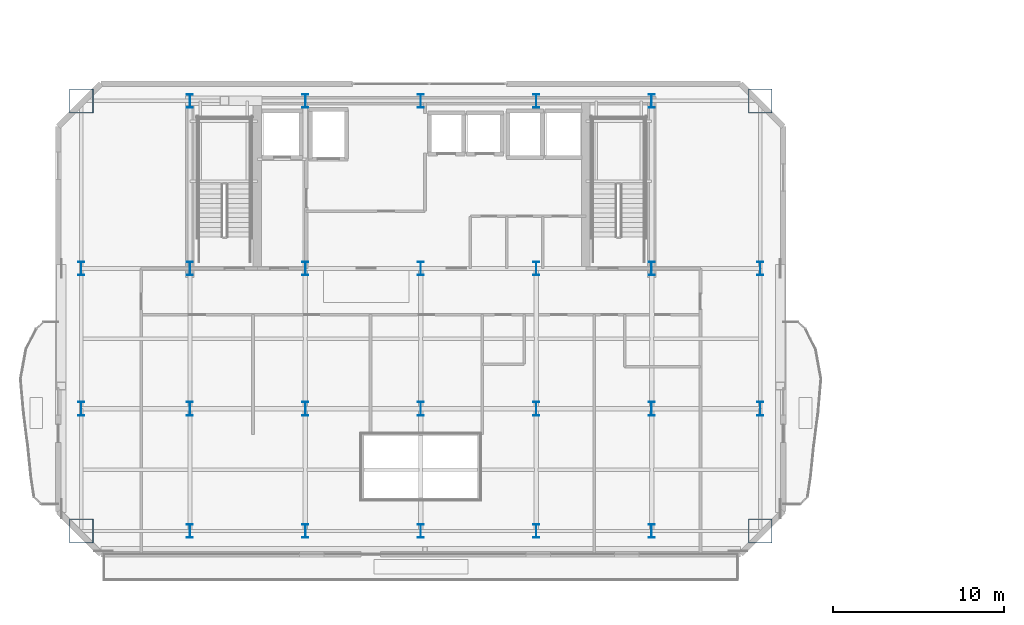
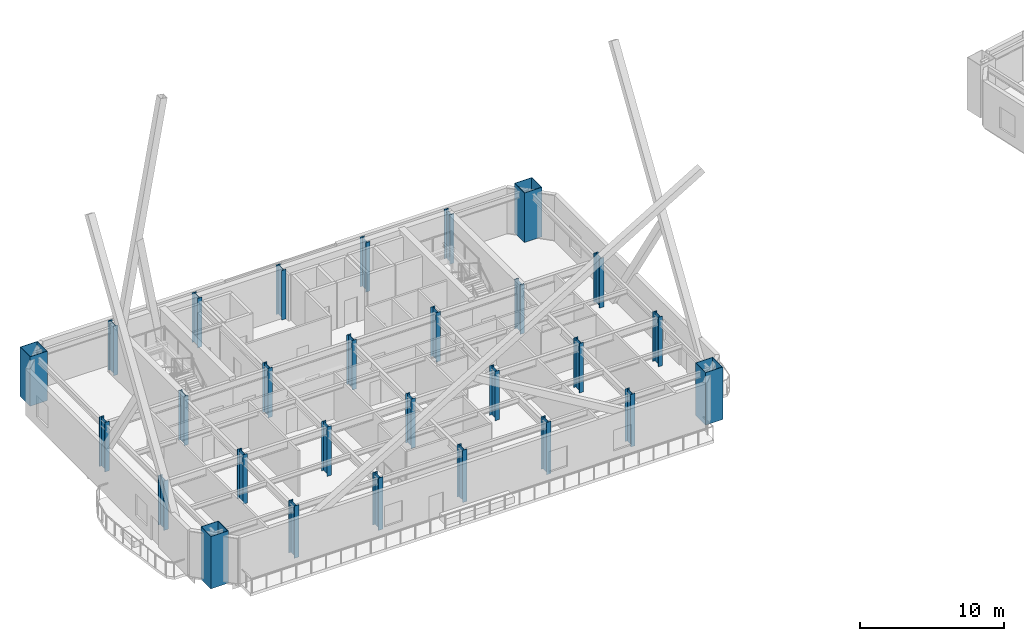
# One storey, part 1 of 22: 28 columns.
"""IFC4 building model written with IfcOpenShell, lengths in metres."""

from ifc_helpers import new_model, si_unit, direction, frame, origin, origin_2d, place, context, subcontext, project, spatial, hollow_rectangle, i_section, extrude, material, material_profile, profile_set, type_object, element, save


model = new_model("IFC4")

# Units and contexts
model_context = context("Model", 3, precision=1e-05, world=origin(), true_north=direction((0.0, 1.0)))
body_context = subcontext(model_context, "Body", "Model", "MODEL_VIEW")
ifc_project = project(units=[si_unit("LENGTHUNIT", "METRE"), si_unit("AREAUNIT", "SQUARE_METRE"), si_unit("VOLUMEUNIT", "CUBIC_METRE"), si_unit("PLANEANGLEUNIT", "RADIAN"), si_unit("MASSUNIT", "GRAM", prefix="KILO")], contexts=[model_context])

# Site, building, storey
site_placement = place(None, origin())
site = spatial("IfcSite", under=ifc_project, at=site_placement, CompositionType="ELEMENT")
building_placement = place(site_placement, origin())
building = spatial("IfcBuilding", under=site, at=building_placement, Name="Haevon Station Towers", CompositionType="ELEMENT")
storey_placement = place(building_placement, frame((0.0, 0.0, 133.800048828125)))
storey = spatial("IfcBuildingStorey", under=building, at=storey_placement, Name="L36", CompositionType="ELEMENT", Elevation=133.800048828125)

# Columns
ifc_material = material(Name="Steel S460", Category="steel")
ifc_material_profile_1 = material_profile(ifc_material, hollow_rectangle(XDim=1.39990234375, YDim=1.39990234375, WallThickness=0.035888671875, at=origin_2d()), Name="BOX-1400x1400x36")
ifc_profile_set_1 = profile_set([ifc_material_profile_1], Name="Steel S460")
column_type_1 = type_object("IfcColumnType", Name="COL-MC3", PredefinedType="COLUMN", material=ifc_profile_set_1)
column_1_placement = place(storey_placement, frame((17.64990234375, 22.85009765625, -0.25), z_axis=(0.0, 0.0, 1.0), x_axis=(1.0, 0.0, 0.0)))
element("IfcColumn", 1, at=column_1_placement, inside=storey, type_object=column_type_1, Name="COL-T1-L36-01-01", PredefinedType="COLUMN", context=body_context, shape_type="SweptSolid", body=[
    extrude(hollow_rectangle(XDim=1.39990234375, YDim=1.39990234375, WallThickness=0.035888671875, at=origin_2d()), origin(), (0.0, 0.0, 1.0), 4.449951171875),
])
column_2_placement = place(storey_placement, frame((17.64990234375, 48.0, 0.0), z_axis=(0.0, 0.0, 1.0), x_axis=(1.0, 0.0, 0.0)))
element("IfcColumn", 2, at=column_2_placement, inside=storey, type_object=column_type_1, Name="COL-T1-L36-01-04", PredefinedType="COLUMN", context=body_context, shape_type="SweptSolid", body=[
    extrude(hollow_rectangle(XDim=1.39990234375, YDim=1.39990234375, WallThickness=0.035888671875, at=origin_2d()), origin(), (0.0, 0.0, 1.0), 4.199951171875),
])
column_3_placement = place(storey_placement, frame((57.35009765625, 22.85009765625, -0.25), z_axis=(0.0, 0.0, 1.0), x_axis=(1.0, 0.0, 0.0)))
element("IfcColumn", 3, at=column_3_placement, inside=storey, type_object=column_type_1, Name="COL-T1-L36-07-01", PredefinedType="COLUMN", context=body_context, shape_type="SweptSolid", body=[
    extrude(hollow_rectangle(XDim=1.39990234375, YDim=1.39990234375, WallThickness=0.035888671875, at=origin_2d()), origin(), (0.0, 0.0, 1.0), 4.449951171875),
])
column_4_placement = place(storey_placement, frame((57.35009765625, 48.0, 0.0), z_axis=(0.0, 0.0, 1.0), x_axis=(1.0, 0.0, 0.0)))
element("IfcColumn", 4, at=column_4_placement, inside=storey, type_object=column_type_1, Name="COL-T1-L36-07-04", PredefinedType="COLUMN", context=body_context, shape_type="SweptSolid", body=[
    extrude(hollow_rectangle(XDim=1.39990234375, YDim=1.39990234375, WallThickness=0.035888671875, at=origin_2d()), origin(), (0.0, 0.0, 1.0), 4.199951171875),
])
ifc_material_profile_2 = material_profile(ifc_material, i_section(OverallWidth=0.35009765625, OverallDepth=0.800048828125, WebThickness=0.01806640625, FlangeThickness=0.031982421875, at=origin_2d()), Name="H-800x350x18x32")
ifc_profile_set_2 = profile_set([ifc_material_profile_2], Name="Steel S460")
column_type_2 = type_object("IfcColumnType", Name="COL-TW2", PredefinedType="COLUMN", material=ifc_profile_set_2)
for number, where, z_axis, x_axis, name in (
    (5, (17.64990234375, 30.0, 0.0), (0.0, 0.0, 1.0), (1.0, 0.0, 0.0), "COL-T1-L36-01-02"),
    (6, (17.64990234375, 38.199951171875, 0.0), (0.0, 0.0, 1.0), (1.0, 0.0, 0.0), "COL-T1-L36-01-03"),
):
    element("IfcColumn", number, at=place(storey_placement, frame(where, z_axis=z_axis, x_axis=x_axis)), inside=storey, type_object=column_type_2, Name=name, PredefinedType="COLUMN", context=body_context, shape_type="SweptSolid", body=[
        extrude(i_section(OverallWidth=0.35009765625, OverallDepth=0.800048828125, WebThickness=0.01806640625, FlangeThickness=0.031982421875, at=origin_2d()), origin(), (0.0, 0.0, 1.0), 4.199951171875),
    ])
column_5_placement = place(storey_placement, frame((24.0, 22.85009765625, -0.25), z_axis=(0.0, 0.0, 1.0), x_axis=(1.0, 0.0, 0.0)))
element("IfcColumn", 7, at=column_5_placement, inside=storey, type_object=column_type_2, Name="COL-T1-L36-02-01", PredefinedType="COLUMN", context=body_context, shape_type="SweptSolid", body=[
    extrude(i_section(OverallWidth=0.35009765625, OverallDepth=0.800048828125, WebThickness=0.01806640625, FlangeThickness=0.031982421875, at=origin_2d()), origin(), (0.0, 0.0, 1.0), 4.449951171875),
])
for number, where, z_axis, x_axis, name in (
    (8, (24.0, 30.0, 0.0), (0.0, 0.0, 1.0), (1.0, 0.0, 0.0), "COL-T1-L36-02-02"),
    (9, (24.0, 38.199951171875, 0.0), (0.0, 0.0, 1.0), (1.0, 0.0, 0.0), "COL-T1-L36-02-03"),
    (10, (24.0, 48.0, 0.0), (0.0, 0.0, 1.0), (1.0, 0.0, 0.0), "COL-T1-L36-02-04"),
):
    element("IfcColumn", number, at=place(storey_placement, frame(where, z_axis=z_axis, x_axis=x_axis)), inside=storey, type_object=column_type_2, Name=name, PredefinedType="COLUMN", context=body_context, shape_type="SweptSolid", body=[
        extrude(i_section(OverallWidth=0.35009765625, OverallDepth=0.800048828125, WebThickness=0.01806640625, FlangeThickness=0.031982421875, at=origin_2d()), origin(), (0.0, 0.0, 1.0), 4.199951171875),
    ])
column_6_placement = place(storey_placement, frame((30.75, 22.85009765625, -0.25), z_axis=(0.0, 0.0, 1.0), x_axis=(1.0, 0.0, 0.0)))
element("IfcColumn", 11, at=column_6_placement, inside=storey, type_object=column_type_2, Name="COL-T1-L36-03-01", PredefinedType="COLUMN", context=body_context, shape_type="SweptSolid", body=[
    extrude(i_section(OverallWidth=0.35009765625, OverallDepth=0.800048828125, WebThickness=0.01806640625, FlangeThickness=0.031982421875, at=origin_2d()), origin(), (0.0, 0.0, 1.0), 4.449951171875),
])
for number, where, z_axis, x_axis, name in (
    (12, (30.75, 30.0, 0.0), (0.0, 0.0, 1.0), (1.0, 0.0, 0.0), "COL-T1-L36-03-02"),
    (13, (30.75, 38.199951171875, 0.0), (0.0, 0.0, 1.0), (1.0, 0.0, 0.0), "COL-T1-L36-03-03"),
    (14, (30.75, 48.0, 0.0), (0.0, 0.0, 1.0), (1.0, 0.0, 0.0), "COL-T1-L36-03-04"),
):
    element("IfcColumn", number, at=place(storey_placement, frame(where, z_axis=z_axis, x_axis=x_axis)), inside=storey, type_object=column_type_2, Name=name, PredefinedType="COLUMN", context=body_context, shape_type="SweptSolid", body=[
        extrude(i_section(OverallWidth=0.35009765625, OverallDepth=0.800048828125, WebThickness=0.01806640625, FlangeThickness=0.031982421875, at=origin_2d()), origin(), (0.0, 0.0, 1.0), 4.199951171875),
    ])
column_7_placement = place(storey_placement, frame((37.5, 22.85009765625, -0.25), z_axis=(0.0, 0.0, 1.0), x_axis=(1.0, 0.0, 0.0)))
element("IfcColumn", 15, at=column_7_placement, inside=storey, type_object=column_type_2, Name="COL-T1-L36-04-01", PredefinedType="COLUMN", context=body_context, shape_type="SweptSolid", body=[
    extrude(i_section(OverallWidth=0.35009765625, OverallDepth=0.800048828125, WebThickness=0.01806640625, FlangeThickness=0.031982421875, at=origin_2d()), origin(), (0.0, 0.0, 1.0), 4.449951171875),
])
for number, where, z_axis, x_axis, name in (
    (16, (37.5, 30.0, 0.0), (0.0, 0.0, 1.0), (1.0, 0.0, 0.0), "COL-T1-L36-04-02"),
    (17, (37.5, 38.199951171875, 0.0), (0.0, 0.0, 1.0), (1.0, 0.0, 0.0), "COL-T1-L36-04-03"),
    (18, (37.5, 48.0, 0.0), (0.0, 0.0, 1.0), (1.0, 0.0, 0.0), "COL-T1-L36-04-04"),
):
    element("IfcColumn", number, at=place(storey_placement, frame(where, z_axis=z_axis, x_axis=x_axis)), inside=storey, type_object=column_type_2, Name=name, PredefinedType="COLUMN", context=body_context, shape_type="SweptSolid", body=[
        extrude(i_section(OverallWidth=0.35009765625, OverallDepth=0.800048828125, WebThickness=0.01806640625, FlangeThickness=0.031982421875, at=origin_2d()), origin(), (0.0, 0.0, 1.0), 4.199951171875),
    ])
column_8_placement = place(storey_placement, frame((44.25, 22.85009765625, -0.25), z_axis=(0.0, 0.0, 1.0), x_axis=(1.0, 0.0, 0.0)))
element("IfcColumn", 19, at=column_8_placement, inside=storey, type_object=column_type_2, Name="COL-T1-L36-05-01", PredefinedType="COLUMN", context=body_context, shape_type="SweptSolid", body=[
    extrude(i_section(OverallWidth=0.35009765625, OverallDepth=0.800048828125, WebThickness=0.01806640625, FlangeThickness=0.031982421875, at=origin_2d()), origin(), (0.0, 0.0, 1.0), 4.449951171875),
])
for number, where, z_axis, x_axis, name in (
    (20, (44.25, 30.0, 0.0), (0.0, 0.0, 1.0), (1.0, 0.0, 0.0), "COL-T1-L36-05-02"),
    (21, (44.25, 38.199951171875, 0.0), (0.0, 0.0, 1.0), (1.0, 0.0, 0.0), "COL-T1-L36-05-03"),
    (22, (44.25, 48.0, 0.0), (0.0, 0.0, 1.0), (1.0, 0.0, 0.0), "COL-T1-L36-05-04"),
):
    element("IfcColumn", number, at=place(storey_placement, frame(where, z_axis=z_axis, x_axis=x_axis)), inside=storey, type_object=column_type_2, Name=name, PredefinedType="COLUMN", context=body_context, shape_type="SweptSolid", body=[
        extrude(i_section(OverallWidth=0.35009765625, OverallDepth=0.800048828125, WebThickness=0.01806640625, FlangeThickness=0.031982421875, at=origin_2d()), origin(), (0.0, 0.0, 1.0), 4.199951171875),
    ])
column_9_placement = place(storey_placement, frame((51.0, 22.85009765625, -0.25), z_axis=(0.0, 0.0, 1.0), x_axis=(1.0, 0.0, 0.0)))
element("IfcColumn", 23, at=column_9_placement, inside=storey, type_object=column_type_2, Name="COL-T1-L36-06-01", PredefinedType="COLUMN", context=body_context, shape_type="SweptSolid", body=[
    extrude(i_section(OverallWidth=0.35009765625, OverallDepth=0.800048828125, WebThickness=0.01806640625, FlangeThickness=0.031982421875, at=origin_2d()), origin(), (0.0, 0.0, 1.0), 4.449951171875),
])
for number, where, z_axis, x_axis, name in (
    (24, (51.0, 30.0, 0.0), (0.0, 0.0, 1.0), (1.0, 0.0, 0.0), "COL-T1-L36-06-02"),
    (25, (51.0, 38.199951171875, 0.0), (0.0, 0.0, 1.0), (1.0, 0.0, 0.0), "COL-T1-L36-06-03"),
    (26, (51.0, 48.0, 0.0), (0.0, 0.0, 1.0), (1.0, 0.0, 0.0), "COL-T1-L36-06-04"),
    (27, (57.35009765625, 30.0, 0.0), (0.0, 0.0, 1.0), (1.0, 0.0, 0.0), "COL-T1-L36-07-02"),
    (28, (57.35009765625, 38.199951171875, 0.0), (0.0, 0.0, 1.0), (1.0, 0.0, 0.0), "COL-T1-L36-07-03"),
):
    element("IfcColumn", number, at=place(storey_placement, frame(where, z_axis=z_axis, x_axis=x_axis)), inside=storey, type_object=column_type_2, Name=name, PredefinedType="COLUMN", context=body_context, shape_type="SweptSolid", body=[
        extrude(i_section(OverallWidth=0.35009765625, OverallDepth=0.800048828125, WebThickness=0.01806640625, FlangeThickness=0.031982421875, at=origin_2d()), origin(), (0.0, 0.0, 1.0), 4.199951171875),
    ])

save(model, "model.ifc")
